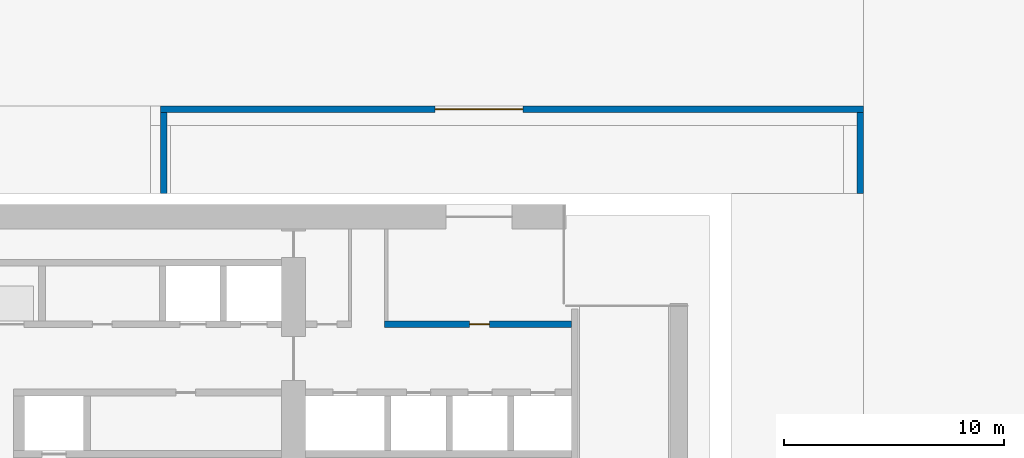
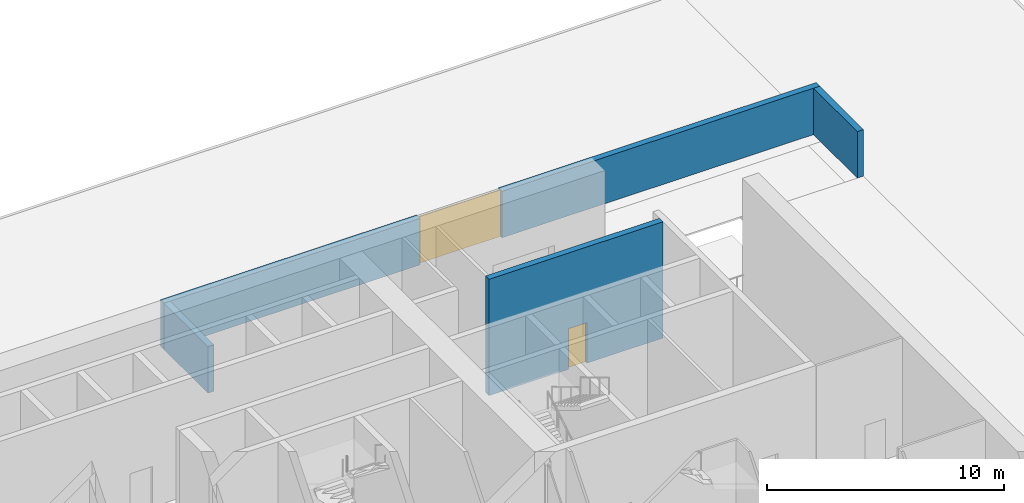
# One storey, part 10 of 16: 4 walls, 2 doors, 2 openings.
"""IFC4 building model written with IfcOpenShell, lengths in metres."""

from ifc_helpers import new_model, si_unit, direction, frame, frame_2d, origin, place, context, subcontext, project, spatial, rectangle, extrude, material, layer, layer_set, type_object, element, fill, save


model = new_model("IFC4")

# Units and contexts
model_context = context("Model", 3, precision=1e-05, world=origin(), true_north=direction((0.0, 1.0)))
body_context = subcontext(model_context, "Body", "Model", "MODEL_VIEW")
ifc_project = project(units=[si_unit("LENGTHUNIT", "METRE"), si_unit("AREAUNIT", "SQUARE_METRE"), si_unit("VOLUMEUNIT", "CUBIC_METRE"), si_unit("PLANEANGLEUNIT", "RADIAN"), si_unit("MASSUNIT", "GRAM", prefix="KILO")], contexts=[model_context])

# Site, building, storey
site_placement = place(None, origin())
site = spatial("IfcSite", under=ifc_project, at=site_placement, CompositionType="ELEMENT")
building_placement = place(site_placement, origin())
building = spatial("IfcBuilding", under=site, at=building_placement, Name="Calvaro Tower", CompositionType="ELEMENT")
storey_placement = place(building_placement, origin())
storey = spatial("IfcBuildingStorey", under=building, at=storey_placement, Name="L00", CompositionType="ELEMENT", Elevation=0.0)

# Wall, opening, door
ifc_material_1 = material(Name="Blockwork partition", Category="masonry")
ifc_layer_1 = layer(ifc_material_1, 0.300048828125)
ifc_layer_set_1 = layer_set([ifc_layer_1], Name="Blockwork partition")
wall_type_1 = type_object("IfcWallType", Name="Core partition 300 REI 120", PredefinedType="PARTITIONING", material=ifc_layer_set_1)
wall_1_placement = place(storey_placement, frame((64.199951171875, 40.550048828125, 0.0), z_axis=(0.0, 0.0, 1.0), x_axis=(1.0, 0.0, 0.0)))
wall_1 = element("IfcWall", 1, at=wall_1_placement, inside=storey, type_object=wall_type_1, Name="Core partition", PredefinedType="PARTITIONING", context=body_context, shape_type="SweptSolid", body=[
    extrude(rectangle(XDim=8.5, YDim=0.300048828125, at=frame_2d((4.25, 0.0))), origin(), (0.0, 0.0, 1.0), 6.0),
])
opening_1_placement = place(wall_1_placement, frame((3.875, 0.0, 0.0)))
opening_1 = element("IfcOpeningElement", 2, at=opening_1_placement, cuts=wall_1, Name="Opening RD9C", PredefinedType="OPENING", context=body_context, shape_type="SweptSolid", body=[
    extrude(rectangle(XDim=0.89990234375, YDim=2.10009765625, at=frame_2d((0.449951171875, 1.050048828125))), frame((0.0, 0.159912109375, 0.0), z_axis=(0.0, -1.0, 0.0), x_axis=(1.0, 0.0, 0.0)), (0.0, 0.0, 1.0), 0.320068359375),
])
ifc_material_2 = material(Name="Steel door set", Category="steel")
door_type_1 = type_object("IfcDoorType", Name="Room door 900 FD30", OperationType="SINGLE_SWING_LEFT", PredefinedType="DOOR", material=ifc_material_2)
door_1_placement = place(opening_1_placement, origin())
door_1 = element("IfcDoor", 3, at=door_1_placement, inside=storey, type_object=door_type_1, Name="Room door", OperationType="SINGLE_SWING_RIGHT", OverallHeight=2.10009765625, OverallWidth=0.89990234375, PredefinedType="DOOR", context=body_context, shape_type="SweptSolid", body=[
    extrude(rectangle(XDim=0.89990234375, YDim=2.10009765625, at=frame_2d((0.449951171875, 1.050048828125))), frame((0.0, 0.02490234375, 0.0), z_axis=(0.0, -1.0, 0.0), x_axis=(1.0, 0.0, 0.0)), (0.0, 0.0, 1.0), 0.050048828125),
])
fill(opening_1, door_1)

ifc_material_3 = material(Name="Concrete C40/50 precast", Category="concrete")
ifc_layer_2 = layer(ifc_material_3, 0.25, Name="Structure")
ifc_material_4 = material(Name="Reconstituted stone")
ifc_layer_3 = layer(ifc_material_4, 0.050048828125, Name="Finish")
ifc_layer_set_2 = layer_set([ifc_layer_2, ifc_layer_3], Name="Concrete C40/50 precast")
wall_type_2 = type_object("IfcWallType", Name="Service yard wall 300", PredefinedType="SOLIDWALL", material=ifc_layer_set_2)
wall_2_placement = place(storey_placement, frame((54.0, 50.35009765625, 0.0), z_axis=(0.0, 0.0, 1.0), x_axis=(1.0, 0.0, 0.0)))
wall_2 = element("IfcWall", 4, at=wall_2_placement, inside=storey, type_object=wall_type_2, Name="Service yard wall", PredefinedType="SOLIDWALL", context=body_context, shape_type="SweptSolid", body=[
    extrude(rectangle(XDim=32.0, YDim=0.300048828125, at=frame_2d((16.0, 0.0))), origin(), (0.0, 0.0, 1.0), 2.39990234375),
])
opening_2_placement = place(wall_2_placement, frame((12.5, 0.0, 0.0)))
opening_2 = element("IfcOpeningElement", 5, at=opening_2_placement, cuts=wall_2, Name="Opening DG1", PredefinedType="OPENING", context=body_context, shape_type="SweptSolid", body=[
    extrude(rectangle(XDim=4.0, YDim=2.39990234375, at=frame_2d((2.0, 1.199951171875))), frame((0.0, 0.159912109375, 0.0), z_axis=(0.0, -1.0, 0.0), x_axis=(1.0, 0.0, 0.0)), (0.0, 0.0, 1.0), 0.320068359375),
])
ifc_material_5 = material(Name="Steel S355", Category="steel")
door_type_2 = type_object("IfcDoorType", Name="Service yard vehicle gate 4000 x 2400", OperationType="DOUBLE_DOOR_DOUBLE_SWING", PredefinedType="GATE", material=ifc_material_5)
door_2_placement = place(opening_2_placement, origin())
door_2 = element("IfcDoor", 6, at=door_2_placement, inside=storey, type_object=door_type_2, Name="Service yard vehicle gate", OperationType="DOUBLE_DOOR_DOUBLE_SWING", OverallHeight=2.39990234375, OverallWidth=4.0, PredefinedType="GATE", context=body_context, shape_type="SweptSolid", body=[
    extrude(rectangle(XDim=4.0, YDim=2.39990234375, at=frame_2d((2.0, 1.199951171875))), frame((0.0, 0.02490234375, 0.0), z_axis=(0.0, -1.0, 0.0), x_axis=(1.0, 0.0, 0.0)), (0.0, 0.0, 1.0), 0.050048828125),
])
fill(opening_2, door_2)

# Walls
for number, where, z_axis, x_axis, name in (
    (7, (54.14990234375, 46.5, 0.0), (0.0, 0.0, 1.0), (0.0, 1.0, 0.0), "Service yard wall"),
    (8, (85.85009765625, 46.5, 0.0), (0.0, 0.0, 1.0), (0.0, 1.0, 0.0), "Service yard wall"),
):
    element("IfcWall", number, at=place(storey_placement, frame(where, z_axis=z_axis, x_axis=x_axis)), inside=storey, type_object=wall_type_2, Name=name, PredefinedType="SOLIDWALL", context=body_context, shape_type="SweptSolid", body=[
        extrude(rectangle(XDim=3.699951171875, YDim=0.300048828125, at=frame_2d((1.85009765625, 0.0))), origin(), (0.0, 0.0, 1.0), 2.39990234375),
    ])

save(model, "model.ifc")
